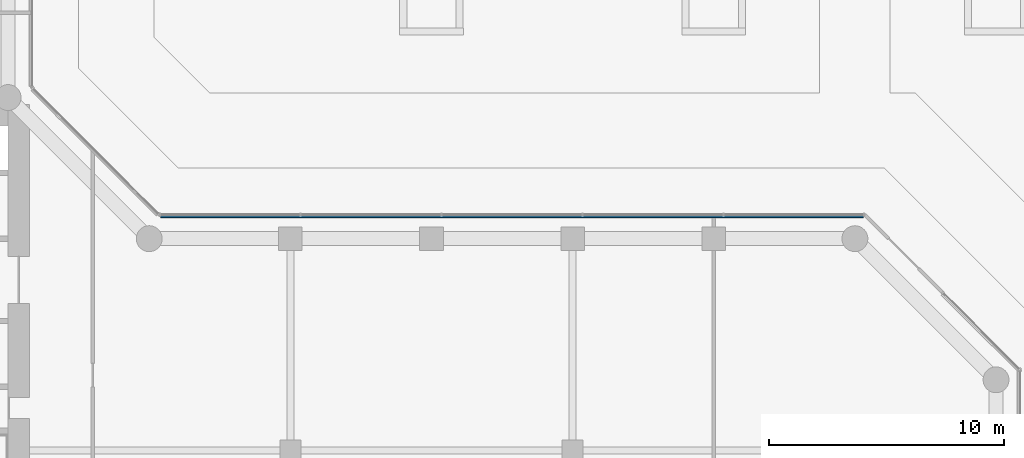
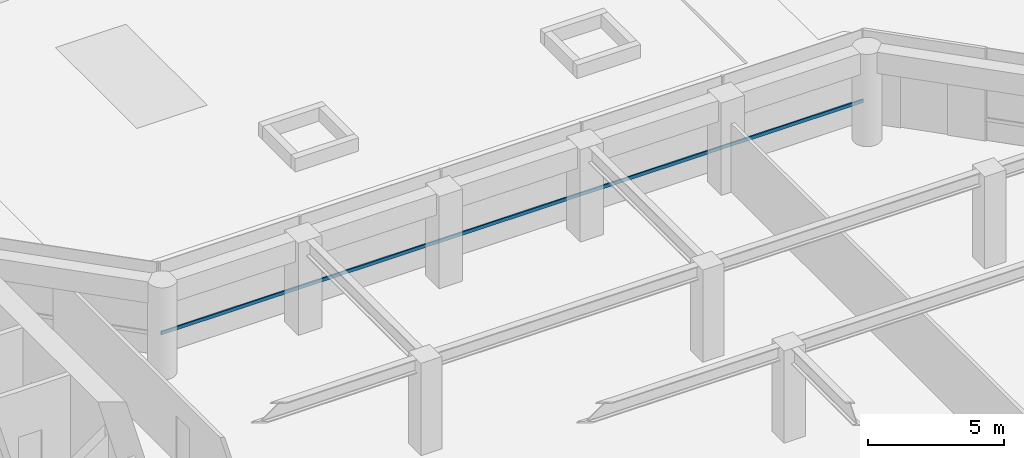
# One storey, part 9 of 31: 1 member, 1 element without a shape of its own.
"""IFC4 building model written with IfcOpenShell, lengths in metres."""

from ifc_helpers import new_model, si_unit, direction, frame, origin, origin_2d, place, context, subcontext, project, spatial, rectangle, extrude, material, layer, layer_set, material_profile, profile_set, type_object, element, aggregate, save


model = new_model("IFC4")

# Units and contexts
model_context = context("Model", 3, precision=1e-05, world=origin(), true_north=direction((0.0, 1.0)))
body_context = subcontext(model_context, "Body", "Model", "MODEL_VIEW")
ifc_project = project(units=[si_unit("LENGTHUNIT", "METRE"), si_unit("AREAUNIT", "SQUARE_METRE"), si_unit("VOLUMEUNIT", "CUBIC_METRE"), si_unit("PLANEANGLEUNIT", "RADIAN"), si_unit("MASSUNIT", "GRAM", prefix="KILO")], contexts=[model_context])

# Site, building, storey
site_placement = place(None, origin())
site = spatial("IfcSite", under=ifc_project, at=site_placement, CompositionType="ELEMENT")
building_placement = place(site_placement, origin())
building = spatial("IfcBuilding", under=site, at=building_placement, Name="Welwitschia Terrace Campus", CompositionType="ELEMENT")
storey_placement = place(building_placement, frame((0.0, 0.0, 11.0)))
storey = spatial("IfcBuildingStorey", under=building, at=storey_placement, Name="L02", CompositionType="ELEMENT", Elevation=11.0)

# Curtain wall, member
ifc_material_1 = material(Name="Bronze anodised aluminium", Category="aluminium")
ifc_layer = layer(ifc_material_1, 0.1201171875)
ifc_layer_set = layer_set([ifc_layer], Name="Bronze anodised aluminium")
curtain_wall_type = type_object("IfcCurtainWallType", Name="Curtain wall CW2 tower 6000", PredefinedType="NOTDEFINED", material=ifc_layer_set)
curtain_wall_placement = place(storey_placement, origin())
curtain_wall = element("IfcCurtainWall", 1, at=curtain_wall_placement, inside=storey, type_object=curtain_wall_type, Name="CW L02.5.0", PredefinedType="NOTDEFINED")
ifc_material_2 = material(Name="Bronze anodised aluminium", Category="aluminium")
ifc_material_profile = material_profile(ifc_material_2, rectangle(XDim=0.06005859375, YDim=0.14990234375, at=origin_2d()))
ifc_profile_set = profile_set([ifc_material_profile], Name="Bronze anodised aluminium")
member_type = type_object("IfcMemberType", Name="Transom 60x150", PredefinedType="USERDEFINED", material=ifc_profile_set)
member_placement = place(storey_placement, frame((60.362548828125, 20.929931640625, 1.0), z_axis=(-1.0, 0.0, 0.0), x_axis=(0.0, -1.0, 0.0)))
member = element("IfcMember", 2, at=member_placement, type_object=member_type, Name="Transom L02.5.0", ObjectType="TRANSOM", PredefinedType="USERDEFINED", context=body_context, shape_type="SweptSolid", body=[
    extrude(rectangle(XDim=0.06005859375, YDim=0.14990234375, at=origin_2d()), origin(), (0.0, 0.0, 1.0), 29.880126953125),
])
aggregate(curtain_wall, [member])

save(model, "model.ifc")
